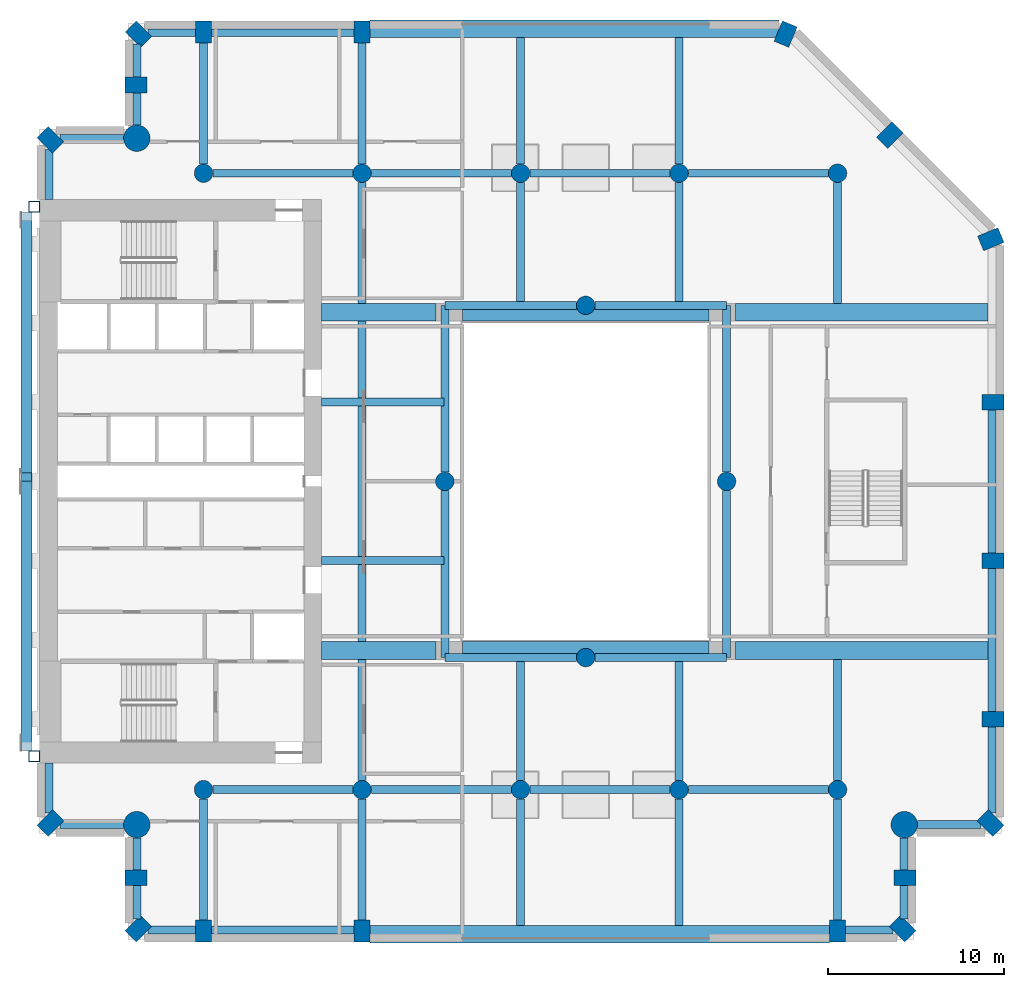
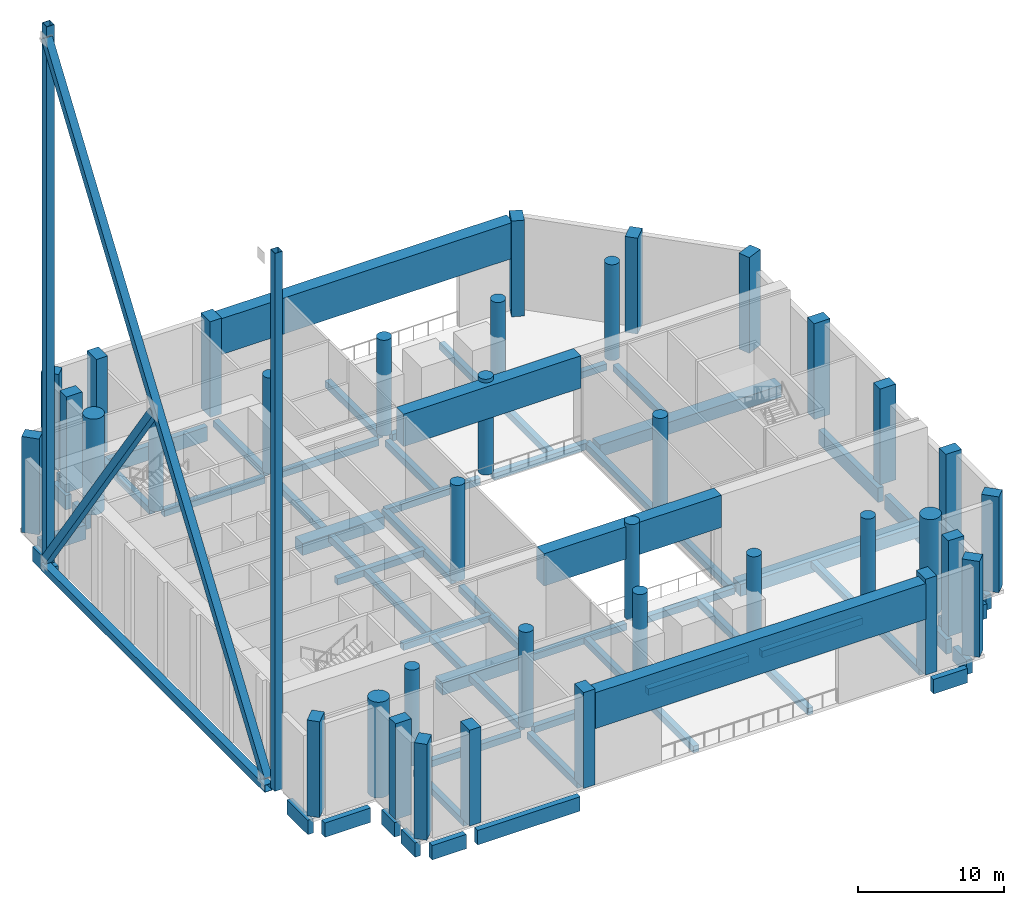
# One storey, part 1 of 14: 65 beams, 37 columns, 5 members.
"""IFC4 building model written with IfcOpenShell, lengths in metres."""

from ifc_helpers import new_model, si_unit, direction, frame, origin, origin_2d, place, context, subcontext, project, spatial, rectangle, hollow_rectangle, circle, extrude, material, material_profile, profile_set, type_object, element, save


model = new_model("IFC4")

# Units and contexts
model_context = context("Model", 3, precision=1e-05, world=origin(), true_north=direction((0.0, 1.0)))
body_context = subcontext(model_context, "Body", "Model", "MODEL_VIEW")
ifc_project = project(units=[si_unit("LENGTHUNIT", "METRE"), si_unit("AREAUNIT", "SQUARE_METRE"), si_unit("VOLUMEUNIT", "CUBIC_METRE"), si_unit("PLANEANGLEUNIT", "RADIAN"), si_unit("MASSUNIT", "GRAM", prefix="KILO")], contexts=[model_context])

# Site, building, storey
site_placement = place(None, origin())
site = spatial("IfcSite", under=ifc_project, at=site_placement, CompositionType="ELEMENT")
building_placement = place(site_placement, origin())
building = spatial("IfcBuilding", under=site, at=building_placement, Name="Cypress Arch Tower", CompositionType="ELEMENT")
storey_placement = place(building_placement, frame((0.0, 0.0, 152.5)))
storey = spatial("IfcBuildingStorey", under=building, at=storey_placement, Name="L33", CompositionType="ELEMENT", Elevation=152.5)

# Columns
ifc_material_1 = material(Name="Concrete C80/95", Category="concrete")
ifc_material_profile_1 = material_profile(ifc_material_1, rectangle(XDim=0.89990234375, YDim=1.25, at=origin_2d()), Name="RC 900x1250")
ifc_profile_set_1 = profile_set([ifc_material_profile_1], Name="Concrete C80/95")
column_type_1 = type_object("IfcColumnType", Name="Column RC 900x1250 Concrete C80/95", PredefinedType="COLUMN", material=ifc_profile_set_1)
for number, where, z_axis, x_axis, name in (
    (1, (-29.389892578125, 19.389892578125, 0.0), (0.0, 0.0, 1.0), (-0.707106781187, -0.707106781187, 0.0), "Column L33 CA00"),
    (2, (-29.389892578125, -19.389892578125, 0.0), (0.0, 0.0, 1.0), (0.707106781187, -0.707106781187, 0.0), "Column L33 CA01"),
    (3, (-24.52490234375, -22.5, 0.0), (0.0, 0.0, 1.0), (0.0, -1.0, 0.0), "Column L33 CA03"),
    (4, (-24.389892578125, -25.389892578125, 0.0), (0.0, 0.0, 1.0), (0.707106781187, -0.707106781187, 0.0), "Column L33 CA04"),
    (5, (-20.699951171875, -25.52490234375, 0.0), (0.0, 0.0, 1.0), (1.0, 0.0, 0.0), "Column L33 CA05"),
    (6, (-11.699951171875, -25.52490234375, 0.0), (0.0, 0.0, 1.0), (1.0, 0.0, 0.0), "Column L33 CA06"),
    (7, (15.300048828125, -25.52490234375, 0.0), (0.0, 0.0, 1.0), (1.0, 0.0, 0.0), "Column L33 CA09"),
    (8, (18.98974609375, -25.389892578125, 0.0), (0.0, 0.0, 1.0), (0.707106781187, 0.707106781187, 0.0), "Column L33 CA10"),
    (9, (19.125, -22.5, 0.0), (0.0, 0.0, 1.0), (0.0, 1.0, 0.0), "Column L33 CA11"),
    (10, (23.98974609375, -19.389892578125, 0.0), (0.0, 0.0, 1.0), (0.707106781187, 0.707106781187, 0.0), "Column L33 CA13"),
    (11, (24.125, -13.5, 0.0), (0.0, 0.0, 1.0), (0.0, 1.0, 0.0), "Column L33 CA14"),
    (12, (24.125, -4.5, 0.0), (0.0, 0.0, 1.0), (0.0, 1.0, 0.0), "Column L33 CA15"),
    (13, (24.125, 4.5, 0.0), (0.0, 0.0, 1.0), (0.0, 1.0, 0.0), "Column L33 CA16"),
    (14, (24.00048828125, 13.751708984375, 0.0), (0.0, 0.0, 1.0), (-0.382683496864, 0.923879505795, 0.0), "Column L33 CA17"),
    (15, (18.26416015625, 19.6640625, 0.0), (0.0, 0.0, 1.0), (-0.707106781187, 0.707106781187, 0.0), "Column L33 CA18"),
    (16, (12.3515625, 25.400390625, 0.0), (0.0, 0.0, 1.0), (-0.923879505795, 0.382683496864, 0.0), "Column L33 CA19"),
    (17, (-11.699951171875, 25.52490234375, 0.0), (0.0, 0.0, 1.0), (-1.0, 0.0, 0.0), "Column L33 CA22"),
    (18, (-20.699951171875, 25.52490234375, 0.0), (0.0, 0.0, 1.0), (-1.0, 0.0, 0.0), "Column L33 CA23"),
    (19, (-24.389892578125, 25.389892578125, 0.0), (0.0, 0.0, 1.0), (-0.707106781187, -0.707106781187, 0.0), "Column L33 CA24"),
    (20, (-24.52490234375, 22.5, 0.0), (0.0, 0.0, 1.0), (0.0, -1.0, 0.0), "Column L33 CA25"),
):
    element("IfcColumn", number, at=place(storey_placement, frame(where, z_axis=z_axis, x_axis=x_axis)), inside=storey, type_object=column_type_1, Name=name, PredefinedType="COLUMN", context=body_context, shape_type="SweptSolid", body=[
        extrude(rectangle(XDim=0.89990234375, YDim=1.25, at=origin_2d()), origin(), (0.0, 0.0, 1.0), 8.0),
    ])
ifc_material_2 = material(Name="Concrete C70/85", Category="concrete")
ifc_material_profile_2 = material_profile(ifc_material_2, circle(Radius=0.52490234375, at=origin_2d()), Name="RC D1050")
ifc_profile_set_2 = profile_set([ifc_material_profile_2], Name="Concrete C70/85")
column_type_2 = type_object("IfcColumnType", Name="Column RC D1050 Concrete C70/85", PredefinedType="COLUMN", material=ifc_profile_set_2)
for number, where, z_axis, x_axis, name in (
    (21, (-20.699951171875, -17.5, 0.0), (0.0, 0.0, 1.0), (1.0, 0.0, 0.0), "Column L33 CIC-L33-CI3S"),
    (22, (-11.699951171875, -17.5, 0.0), (0.0, 0.0, 1.0), (1.0, 0.0, 0.0), "Column L33 CIC-L33-CI4S"),
    (23, (-2.699951171875, -17.5, 0.0), (0.0, 0.0, 1.0), (1.0, 0.0, 0.0), "Column L33 CIC-L33-CI5S"),
    (24, (6.300048828125, -17.5, 0.0), (0.0, 0.0, 1.0), (1.0, 0.0, 0.0), "Column L33 CIC-L33-CI6S"),
    (25, (15.300048828125, -17.5, 0.0), (0.0, 0.0, 1.0), (1.0, 0.0, 0.0), "Column L33 CIC-L33-CI7S"),
    (26, (-20.699951171875, 17.5, 0.0), (0.0, 0.0, 1.0), (1.0, 0.0, 0.0), "Column L33 CIC-L33-CI3N"),
    (27, (-11.699951171875, 17.5, 0.0), (0.0, 0.0, 1.0), (1.0, 0.0, 0.0), "Column L33 CIC-L33-CI4N"),
    (28, (-2.699951171875, 17.5, 0.0), (0.0, 0.0, 1.0), (1.0, 0.0, 0.0), "Column L33 CIC-L33-CI5N"),
    (29, (6.300048828125, 17.5, 0.0), (0.0, 0.0, 1.0), (1.0, 0.0, 0.0), "Column L33 CIC-L33-CI6N"),
    (30, (15.300048828125, 17.5, 0.0), (0.0, 0.0, 1.0), (1.0, 0.0, 0.0), "Column L33 CIC-L33-CI7N"),
    (31, (-7.0, 0.0, 0.0), (0.0, 0.0, 1.0), (1.0, 0.0, 0.0), "Column L33 RNG-L33-G-7+0"),
    (32, (1.0, -10.0, 0.0), (0.0, 0.0, 1.0), (1.0, 0.0, 0.0), "Column L33 RNG-L33-G+1-10"),
    (33, (1.0, 10.0, 0.0), (0.0, 0.0, 1.0), (1.0, 0.0, 0.0), "Column L33 RNG-L33-G+1+10"),
    (34, (9.0, 0.0, 0.0), (0.0, 0.0, 1.0), (1.0, 0.0, 0.0), "Column L33 RNG-L33-G+9+0"),
):
    element("IfcColumn", number, at=place(storey_placement, frame(where, z_axis=z_axis, x_axis=x_axis)), inside=storey, type_object=column_type_2, Name=name, PredefinedType="COLUMN", context=body_context, shape_type="SweptSolid", body=[
        extrude(circle(Radius=0.52490234375, at=origin_2d()), origin(), (0.0, 0.0, 1.0), 8.0),
    ])
ifc_material_3 = material(Name="Concrete C80/95", Category="concrete")
ifc_material_profile_3 = material_profile(ifc_material_3, circle(Radius=0.75, at=origin_2d()), Name="RC D1500")
ifc_profile_set_3 = profile_set([ifc_material_profile_3], Name="Concrete C80/95")
column_type_3 = type_object("IfcColumnType", Name="Mega-column RC D1500 Concrete C80/95", PredefinedType="COLUMN", material=ifc_profile_set_3)
for number, where, z_axis, x_axis, name in (
    (35, (-24.48779296875, -19.48779296875, 0.0), (0.0, 0.0, 1.0), (1.0, 0.0, 0.0), "Column L33 CA02"),
    (36, (19.087890625, -19.48779296875, 0.0), (0.0, 0.0, 1.0), (1.0, 0.0, 0.0), "Column L33 CA12"),
    (37, (-24.48779296875, 19.48779296875, 0.0), (0.0, 0.0, 1.0), (1.0, 0.0, 0.0), "Column L33 CA26"),
):
    element("IfcColumn", number, at=place(storey_placement, frame(where, z_axis=z_axis, x_axis=x_axis)), inside=storey, type_object=column_type_3, Name=name, PredefinedType="COLUMN", context=body_context, shape_type="SweptSolid", body=[
        extrude(circle(Radius=0.75, at=origin_2d()), origin(), (0.0, 0.0, 1.0), 8.0),
    ])

# Beams
ifc_material_4 = material(Name="Concrete C50/60", Category="concrete")
ifc_material_profile_4 = material_profile(ifc_material_4, rectangle(XDim=0.449951171875, YDim=0.550048828125, at=origin_2d()), Name="RC 450x550")
ifc_profile_set_4 = profile_set([ifc_material_profile_4], Name="Concrete C50/60")
beam_type_1 = type_object("IfcBeamType", Name="Floor beam RC 450x550 Concrete C50/60", PredefinedType="BEAM", material=ifc_profile_set_4)
for number, where, z_axis, x_axis, name in (
    (38, (-7.0, -10.0, -0.574951171875), (0.0, 1.0, 0.0), (-1.0, 0.0, 0.0), "Floor beam L33 RB001"),
    (39, (-7.0, 0.52490234375, -0.574951171875), (0.0, 1.0, 0.0), (-1.0, 0.0, 0.0), "Floor beam L33 RB002"),
    (40, (9.0, -10.0, -0.574951171875), (0.0, 1.0, 0.0), (-1.0, 0.0, 0.0), "Floor beam L33 RB003"),
    (41, (9.0, 0.52490234375, -0.574951171875), (0.0, 1.0, 0.0), (-1.0, 0.0, 0.0), "Floor beam L33 RB004"),
):
    element("IfcBeam", number, at=place(storey_placement, frame(where, z_axis=z_axis, x_axis=x_axis)), inside=storey, type_object=beam_type_1, Name=name, PredefinedType="BEAM", context=body_context, shape_type="SweptSolid", body=[
        extrude(rectangle(XDim=0.449951171875, YDim=0.550048828125, at=origin_2d()), origin(), (0.0, 0.0, 1.0), 9.47509765625),
    ])
for number, where, z_axis, x_axis, name in (
    (42, (-7.0, -10.0, -0.574951171875), (1.0, 0.0, 0.0), (0.0, 1.0, 0.0), "Floor beam L33 RB005"),
    (43, (1.52490234375, -10.0, -0.574951171875), (1.0, 0.0, 0.0), (0.0, 1.0, 0.0), "Floor beam L33 RB006"),
    (44, (-7.0, 10.0, -0.574951171875), (1.0, 0.0, 0.0), (0.0, 1.0, 0.0), "Floor beam L33 RB007"),
    (45, (1.52490234375, 10.0, -0.574951171875), (1.0, 0.0, 0.0), (0.0, 1.0, 0.0), "Floor beam L33 RB008"),
):
    element("IfcBeam", number, at=place(storey_placement, frame(where, z_axis=z_axis, x_axis=x_axis)), inside=storey, type_object=beam_type_1, Name=name, PredefinedType="BEAM", context=body_context, shape_type="SweptSolid", body=[
        extrude(rectangle(XDim=0.449951171875, YDim=0.550048828125, at=origin_2d()), origin(), (0.0, 0.0, 1.0), 7.47509765625),
    ])
for number, where, z_axis, x_axis, name in (
    (46, (-20.175048828125, -17.5, -0.574951171875), (1.0, 0.0, 0.0), (0.0, 1.0, 0.0), "Floor beam L33 FB009"),
    (47, (-11.175048828125, -17.5, -0.574951171875), (1.0, 0.0, 0.0), (0.0, 1.0, 0.0), "Floor beam L33 FB010"),
    (48, (-2.175048828125, -17.5, -0.574951171875), (1.0, 0.0, 0.0), (0.0, 1.0, 0.0), "Floor beam L33 FB011"),
    (49, (6.824951171875, -17.5, -0.574951171875), (1.0, 0.0, 0.0), (0.0, 1.0, 0.0), "Floor beam L33 FB012"),
):
    element("IfcBeam", number, at=place(storey_placement, frame(where, z_axis=z_axis, x_axis=x_axis)), inside=storey, type_object=beam_type_1, Name=name, PredefinedType="BEAM", context=body_context, shape_type="SweptSolid", body=[
        extrude(rectangle(XDim=0.449951171875, YDim=0.550048828125, at=origin_2d()), origin(), (0.0, 0.0, 1.0), 7.949951171875),
    ])
for number, where, z_axis, x_axis, name in (
    (50, (-14.0, -4.5, -0.574951171875), (1.0, 0.0, 0.0), (0.0, 1.0, 0.0), "Floor beam L33 FB013"),
    (51, (-14.0, 4.5, -0.574951171875), (1.0, 0.0, 0.0), (0.0, 1.0, 0.0), "Floor beam L33 FB014"),
):
    element("IfcBeam", number, at=place(storey_placement, frame(where, z_axis=z_axis, x_axis=x_axis)), inside=storey, type_object=beam_type_1, Name=name, PredefinedType="BEAM", context=body_context, shape_type="SweptSolid", body=[
        extrude(rectangle(XDim=0.449951171875, YDim=0.550048828125, at=origin_2d()), origin(), (0.0, 0.0, 1.0), 6.949951171875),
    ])
for number, where, z_axis, x_axis, name in (
    (52, (-20.175048828125, 17.5, -0.574951171875), (1.0, 0.0, 0.0), (0.0, 1.0, 0.0), "Floor beam L33 FB015"),
    (53, (-11.175048828125, 17.5, -0.574951171875), (1.0, 0.0, 0.0), (0.0, 1.0, 0.0), "Floor beam L33 FB016"),
    (54, (-2.175048828125, 17.5, -0.574951171875), (1.0, 0.0, 0.0), (0.0, 1.0, 0.0), "Floor beam L33 FB017"),
    (55, (6.824951171875, 17.5, -0.574951171875), (1.0, 0.0, 0.0), (0.0, 1.0, 0.0), "Floor beam L33 FB018"),
):
    element("IfcBeam", number, at=place(storey_placement, frame(where, z_axis=z_axis, x_axis=x_axis)), inside=storey, type_object=beam_type_1, Name=name, PredefinedType="BEAM", context=body_context, shape_type="SweptSolid", body=[
        extrude(rectangle(XDim=0.449951171875, YDim=0.550048828125, at=origin_2d()), origin(), (0.0, 0.0, 1.0), 7.949951171875),
    ])
for number, where, z_axis, x_axis, name in (
    (56, (-20.699951171875, -24.89990234375, -0.574951171875), (0.0, 1.0, 0.0), (-1.0, 0.0, 0.0), "Floor beam L33 FB019"),
    (57, (-20.699951171875, 18.02490234375, -0.574951171875), (0.0, 1.0, 0.0), (-1.0, 0.0, 0.0), "Floor beam L33 FB020"),
    (58, (-11.699951171875, -24.89990234375, -0.574951171875), (0.0, 1.0, 0.0), (-1.0, 0.0, 0.0), "Floor beam L33 FB021"),
    (59, (-11.699951171875, -16.97509765625, -0.574951171875), (0.0, 1.0, 0.0), (-1.0, 0.0, 0.0), "Floor beam L33 FB022"),
):
    element("IfcBeam", number, at=place(storey_placement, frame(where, z_axis=z_axis, x_axis=x_axis)), inside=storey, type_object=beam_type_1, Name=name, PredefinedType="BEAM", context=body_context, shape_type="SweptSolid", body=[
        extrude(rectangle(XDim=0.449951171875, YDim=0.550048828125, at=origin_2d()), origin(), (0.0, 0.0, 1.0), 6.875),
    ])
beam_1_placement = place(storey_placement, frame((-11.699951171875, -9.10009765625, -0.574951171875), z_axis=(0.0, 1.0, 0.0), x_axis=(-1.0, 0.0, 0.0)))
element("IfcBeam", 60, at=beam_1_placement, inside=storey, type_object=beam_type_1, Name="Floor beam L33 FB023", PredefinedType="BEAM", context=body_context, shape_type="SweptSolid", body=[
    extrude(rectangle(XDim=0.449951171875, YDim=0.550048828125, at=origin_2d()), origin(), (0.0, 0.0, 1.0), 4.375),
])
beam_2_placement = place(storey_placement, frame((-11.699951171875, -4.27490234375, -0.574951171875), z_axis=(0.0, 1.0, 0.0), x_axis=(-1.0, 0.0, 0.0)))
element("IfcBeam", 61, at=beam_2_placement, inside=storey, type_object=beam_type_1, Name="Floor beam L33 FB024", PredefinedType="BEAM", context=body_context, shape_type="SweptSolid", body=[
    extrude(rectangle(XDim=0.449951171875, YDim=0.550048828125, at=origin_2d()), origin(), (0.0, 0.0, 1.0), 8.5498046875),
])
beam_3_placement = place(storey_placement, frame((-11.699951171875, 4.72509765625, -0.574951171875), z_axis=(0.0, 1.0, 0.0), x_axis=(-1.0, 0.0, 0.0)))
element("IfcBeam", 62, at=beam_3_placement, inside=storey, type_object=beam_type_1, Name="Floor beam L33 FB025", PredefinedType="BEAM", context=body_context, shape_type="SweptSolid", body=[
    extrude(rectangle(XDim=0.449951171875, YDim=0.550048828125, at=origin_2d()), origin(), (0.0, 0.0, 1.0), 4.375),
])
for number, where, z_axis, x_axis, name in (
    (63, (-11.699951171875, 10.10009765625, -0.574951171875), (0.0, 1.0, 0.0), (-1.0, 0.0, 0.0), "Floor beam L33 FB026"),
    (64, (-11.699951171875, 18.02490234375, -0.574951171875), (0.0, 1.0, 0.0), (-1.0, 0.0, 0.0), "Floor beam L33 FB027"),
):
    element("IfcBeam", number, at=place(storey_placement, frame(where, z_axis=z_axis, x_axis=x_axis)), inside=storey, type_object=beam_type_1, Name=name, PredefinedType="BEAM", context=body_context, shape_type="SweptSolid", body=[
        extrude(rectangle(XDim=0.449951171875, YDim=0.550048828125, at=origin_2d()), origin(), (0.0, 0.0, 1.0), 6.875),
    ])
beam_4_placement = place(storey_placement, frame((-2.699951171875, -25.199951171875, -0.574951171875), z_axis=(0.0, 1.0, 0.0), x_axis=(-1.0, 0.0, 0.0)))
element("IfcBeam", 65, at=beam_4_placement, inside=storey, type_object=beam_type_1, Name="Floor beam L33 FB028", PredefinedType="BEAM", context=body_context, shape_type="SweptSolid", body=[
    extrude(rectangle(XDim=0.449951171875, YDim=0.550048828125, at=origin_2d()), origin(), (0.0, 0.0, 1.0), 7.175048828125),
])
for number, where, z_axis, x_axis, name in (
    (66, (-2.699951171875, -16.97509765625, -0.574951171875), (0.0, 1.0, 0.0), (-1.0, 0.0, 0.0), "Floor beam L33 FB029"),
    (67, (-2.699951171875, 10.22509765625, -0.574951171875), (0.0, 1.0, 0.0), (-1.0, 0.0, 0.0), "Floor beam L33 FB030"),
):
    element("IfcBeam", number, at=place(storey_placement, frame(where, z_axis=z_axis, x_axis=x_axis)), inside=storey, type_object=beam_type_1, Name=name, PredefinedType="BEAM", context=body_context, shape_type="SweptSolid", body=[
        extrude(rectangle(XDim=0.449951171875, YDim=0.550048828125, at=origin_2d()), origin(), (0.0, 0.0, 1.0), 6.75),
    ])
for number, where, z_axis, x_axis, name in (
    (68, (-2.699951171875, 18.02490234375, -0.574951171875), (0.0, 1.0, 0.0), (-1.0, 0.0, 0.0), "Floor beam L33 FB031"),
    (69, (6.300048828125, -25.199951171875, -0.574951171875), (0.0, 1.0, 0.0), (-1.0, 0.0, 0.0), "Floor beam L33 FB032"),
):
    element("IfcBeam", number, at=place(storey_placement, frame(where, z_axis=z_axis, x_axis=x_axis)), inside=storey, type_object=beam_type_1, Name=name, PredefinedType="BEAM", context=body_context, shape_type="SweptSolid", body=[
        extrude(rectangle(XDim=0.449951171875, YDim=0.550048828125, at=origin_2d()), origin(), (0.0, 0.0, 1.0), 7.175048828125),
    ])
for number, where, z_axis, x_axis, name in (
    (70, (6.300048828125, -16.97509765625, -0.574951171875), (0.0, 1.0, 0.0), (-1.0, 0.0, 0.0), "Floor beam L33 FB033"),
    (71, (6.300048828125, 10.22509765625, -0.574951171875), (0.0, 1.0, 0.0), (-1.0, 0.0, 0.0), "Floor beam L33 FB034"),
):
    element("IfcBeam", number, at=place(storey_placement, frame(where, z_axis=z_axis, x_axis=x_axis)), inside=storey, type_object=beam_type_1, Name=name, PredefinedType="BEAM", context=body_context, shape_type="SweptSolid", body=[
        extrude(rectangle(XDim=0.449951171875, YDim=0.550048828125, at=origin_2d()), origin(), (0.0, 0.0, 1.0), 6.75),
    ])
beam_5_placement = place(storey_placement, frame((6.300048828125, 18.02490234375, -0.574951171875), z_axis=(0.0, 1.0, 0.0), x_axis=(-1.0, 0.0, 0.0)))
element("IfcBeam", 72, at=beam_5_placement, inside=storey, type_object=beam_type_1, Name="Floor beam L33 FB035", PredefinedType="BEAM", context=body_context, shape_type="SweptSolid", body=[
    extrude(rectangle(XDim=0.449951171875, YDim=0.550048828125, at=origin_2d()), origin(), (0.0, 0.0, 1.0), 7.175048828125),
])
for number, where, z_axis, x_axis, name in (
    (73, (15.300048828125, -24.89990234375, -0.574951171875), (0.0, 1.0, 0.0), (-1.0, 0.0, 0.0), "Floor beam L33 FB036"),
    (74, (15.300048828125, -16.97509765625, -0.574951171875), (0.0, 1.0, 0.0), (-1.0, 0.0, 0.0), "Floor beam L33 FB037"),
    (75, (15.300048828125, 10.10009765625, -0.574951171875), (0.0, 1.0, 0.0), (-1.0, 0.0, 0.0), "Floor beam L33 FB038"),
):
    element("IfcBeam", number, at=place(storey_placement, frame(where, z_axis=z_axis, x_axis=x_axis)), inside=storey, type_object=beam_type_1, Name=name, PredefinedType="BEAM", context=body_context, shape_type="SweptSolid", body=[
        extrude(rectangle(XDim=0.449951171875, YDim=0.550048828125, at=origin_2d()), origin(), (0.0, 0.0, 1.0), 6.875),
    ])
ifc_material_5 = material(Name="Concrete C80/95", Category="concrete")
ifc_material_profile_5 = material_profile(ifc_material_5, rectangle(XDim=1.0, YDim=2.699951171875, at=origin_2d()), Name="RC 1000x2700")
ifc_profile_set_5 = profile_set([ifc_material_profile_5], Name="Concrete C80/95")
beam_type_2 = type_object("IfcBeamType", Name="Outrigger opening beam RC 1000x2700 Concrete C80/95", PredefinedType="LINTEL", material=ifc_profile_set_5)
for number, where, z_axis, x_axis, name in (
    (76, (-6.0, -9.60009765625, 6.35009765625), (1.0, 0.0, 0.0), (0.0, 1.0, 0.0), "Opening beam L33 S"),
    (77, (-6.0, 9.60009765625, 6.35009765625), (1.0, 0.0, 0.0), (0.0, 1.0, 0.0), "Opening beam L33 N"),
):
    element("IfcBeam", number, at=place(storey_placement, frame(where, z_axis=z_axis, x_axis=x_axis)), inside=storey, type_object=beam_type_2, Name=name, PredefinedType="LINTEL", context=body_context, shape_type="SweptSolid", body=[
        extrude(rectangle(XDim=1.0, YDim=2.699951171875, at=origin_2d()), origin(), (0.0, 0.0, 1.0), 14.0),
    ])
ifc_material_6 = material(Name="Concrete C80/95", Category="concrete")
ifc_material_profile_6 = material_profile(ifc_material_6, rectangle(XDim=1.0, YDim=3.0, at=origin_2d()), Name="RC 1000x3000")
ifc_profile_set_6 = profile_set([ifc_material_profile_6], Name="Concrete C80/95")
beam_type_3 = type_object("IfcBeamType", Name="Portal beam RC 1000x3000 Concrete C80/95", PredefinedType="BEAM", material=ifc_profile_set_6)
beam_6_placement = place(storey_placement, frame((-11.25, -25.699951171875, 6.199951171875), z_axis=(1.0, 0.0, 0.0), x_axis=(0.0, 1.0, 0.0)))
element("IfcBeam", 78, at=beam_6_placement, inside=storey, type_object=beam_type_3, Name="Portal beam L33 S", PredefinedType="BEAM", context=body_context, shape_type="SweptSolid", body=[
    extrude(rectangle(XDim=1.0, YDim=3.0, at=origin_2d()), origin(), (0.0, 0.0, 1.0), 26.10009765625),
])
beam_7_placement = place(storey_placement, frame((-11.25, 25.699951171875, 6.199951171875), z_axis=(1.0, 0.0, 0.0), x_axis=(0.0, 1.0, 0.0)))
element("IfcBeam", 79, at=beam_7_placement, inside=storey, type_object=beam_type_3, Name="Portal beam L33 N", PredefinedType="BEAM", context=body_context, shape_type="SweptSolid", body=[
    extrude(rectangle(XDim=1.0, YDim=3.0, at=origin_2d()), origin(), (0.0, 0.0, 1.0), 23.23876953125),
])
ifc_material_7 = material(Name="Concrete C50/60", Category="concrete")
ifc_material_profile_7 = material_profile(ifc_material_7, rectangle(XDim=0.449951171875, YDim=1.199951171875, at=origin_2d()), Name="RC 450x1200")
ifc_profile_set_7 = profile_set([ifc_material_profile_7], Name="Concrete C50/60")
beam_type_4 = type_object("IfcBeamType", Name="Spandrel beam RC 450x1200 Concrete C50/60", PredefinedType="SPANDREL", material=ifc_profile_set_7)
for number, where, z_axis, x_axis, name in (
    (80, (-29.47509765625, 18.838623046875, -1.550048828125), (0.0, -1.0, 0.0), (1.0, 0.0, 0.0), "Spandrel beam L33 BA00-0"),
    (81, (-29.47509765625, -16.0, -1.550048828125), (0.0, -1.0, 0.0), (1.0, 0.0, 0.0), "Spandrel beam L33 BA00-0"),
):
    element("IfcBeam", number, at=place(storey_placement, frame(where, z_axis=z_axis, x_axis=x_axis)), inside=storey, type_object=beam_type_4, Name=name, PredefinedType="SPANDREL", context=body_context, shape_type="SweptSolid", body=[
        extrude(rectangle(XDim=0.449951171875, YDim=1.199951171875, at=origin_2d()), origin(), (0.0, 0.0, 1.0), 2.838623046875),
    ])
beam_8_placement = place(storey_placement, frame((-28.838623046875, -19.47509765625, -1.550048828125), z_axis=(1.0, 0.0, 0.0), x_axis=(0.0, 1.0, 0.0)))
element("IfcBeam", 82, at=beam_8_placement, inside=storey, type_object=beam_type_4, Name="Spandrel beam L33 BA01-0", PredefinedType="SPANDREL", context=body_context, shape_type="SweptSolid", body=[
    extrude(rectangle(XDim=0.449951171875, YDim=1.199951171875, at=origin_2d()), origin(), (0.0, 0.0, 1.0), 3.60107421875),
])
beam_9_placement = place(storey_placement, frame((-24.47509765625, -20.237548828125, -1.550048828125), z_axis=(0.0, -1.0, 0.0), x_axis=(1.0, 0.0, 0.0)))
element("IfcBeam", 83, at=beam_9_placement, inside=storey, type_object=beam_type_4, Name="Spandrel beam L33 BA02-0", PredefinedType="SPANDREL", context=body_context, shape_type="SweptSolid", body=[
    extrude(rectangle(XDim=0.449951171875, YDim=1.199951171875, at=origin_2d()), origin(), (0.0, 0.0, 1.0), 1.8125),
])
beam_10_placement = place(storey_placement, frame((-24.47509765625, -22.949951171875, -1.550048828125), z_axis=(0.0, -1.0, 0.0), x_axis=(1.0, 0.0, 0.0)))
element("IfcBeam", 84, at=beam_10_placement, inside=storey, type_object=beam_type_4, Name="Spandrel beam L33 BA02-1", PredefinedType="SPANDREL", context=body_context, shape_type="SweptSolid", body=[
    extrude(rectangle(XDim=0.449951171875, YDim=1.199951171875, at=origin_2d()), origin(), (0.0, 0.0, 1.0), 1.888671875),
])
beam_11_placement = place(storey_placement, frame((-23.838623046875, -25.47509765625, -1.550048828125), z_axis=(1.0, 0.0, 0.0), x_axis=(0.0, 1.0, 0.0)))
element("IfcBeam", 85, at=beam_11_placement, inside=storey, type_object=beam_type_4, Name="Spandrel beam L33 BA03-0", PredefinedType="SPANDREL", context=body_context, shape_type="SweptSolid", body=[
    extrude(rectangle(XDim=0.449951171875, YDim=1.199951171875, at=origin_2d()), origin(), (0.0, 0.0, 1.0), 2.688720703125),
])
beam_12_placement = place(storey_placement, frame((-20.25, -25.47509765625, -1.550048828125), z_axis=(1.0, 0.0, 0.0), x_axis=(0.0, 1.0, 0.0)))
element("IfcBeam", 86, at=beam_12_placement, inside=storey, type_object=beam_type_4, Name="Spandrel beam L33 BA03-1", PredefinedType="SPANDREL", context=body_context, shape_type="SweptSolid", body=[
    extrude(rectangle(XDim=0.449951171875, YDim=1.199951171875, at=origin_2d()), origin(), (0.0, 0.0, 1.0), 8.10009765625),
])
beam_13_placement = place(storey_placement, frame((15.75, -25.47509765625, -1.550048828125), z_axis=(1.0, 0.0, 0.0), x_axis=(0.0, 1.0, 0.0)))
element("IfcBeam", 87, at=beam_13_placement, inside=storey, type_object=beam_type_4, Name="Spandrel beam L33 BA03-5", PredefinedType="SPANDREL", context=body_context, shape_type="SweptSolid", body=[
    extrude(rectangle(XDim=0.449951171875, YDim=1.199951171875, at=origin_2d()), origin(), (0.0, 0.0, 1.0), 2.688720703125),
])
beam_14_placement = place(storey_placement, frame((19.074951171875, -24.838623046875, -1.550048828125), z_axis=(0.0, 1.0, 0.0), x_axis=(-1.0, 0.0, 0.0)))
element("IfcBeam", 88, at=beam_14_placement, inside=storey, type_object=beam_type_4, Name="Spandrel beam L33 BA04-0", PredefinedType="SPANDREL", context=body_context, shape_type="SweptSolid", body=[
    extrude(rectangle(XDim=0.449951171875, YDim=1.199951171875, at=origin_2d()), origin(), (0.0, 0.0, 1.0), 1.888671875),
])
beam_15_placement = place(storey_placement, frame((19.074951171875, -22.050048828125, -1.550048828125), z_axis=(0.0, 1.0, 0.0), x_axis=(-1.0, 0.0, 0.0)))
element("IfcBeam", 89, at=beam_15_placement, inside=storey, type_object=beam_type_4, Name="Spandrel beam L33 BA04-1", PredefinedType="SPANDREL", context=body_context, shape_type="SweptSolid", body=[
    extrude(rectangle(XDim=0.449951171875, YDim=1.199951171875, at=origin_2d()), origin(), (0.0, 0.0, 1.0), 1.8125),
])
beam_16_placement = place(storey_placement, frame((19.837646484375, -19.47509765625, -1.550048828125), z_axis=(1.0, 0.0, 0.0), x_axis=(0.0, 1.0, 0.0)))
element("IfcBeam", 90, at=beam_16_placement, inside=storey, type_object=beam_type_4, Name="Spandrel beam L33 BA05-0", PredefinedType="SPANDREL", context=body_context, shape_type="SweptSolid", body=[
    extrude(rectangle(XDim=0.449951171875, YDim=1.199951171875, at=origin_2d()), origin(), (0.0, 0.0, 1.0), 3.60107421875),
])
beam_17_placement = place(storey_placement, frame((24.074951171875, -18.838623046875, -1.550048828125), z_axis=(0.0, 1.0, 0.0), x_axis=(-1.0, 0.0, 0.0)))
element("IfcBeam", 91, at=beam_17_placement, inside=storey, type_object=beam_type_4, Name="Spandrel beam L33 BA06-0", PredefinedType="SPANDREL", context=body_context, shape_type="SweptSolid", body=[
    extrude(rectangle(XDim=0.449951171875, YDim=1.199951171875, at=origin_2d()), origin(), (0.0, 0.0, 1.0), 4.888671875),
])
for number, where, z_axis, x_axis, name in (
    (92, (24.074951171875, -13.050048828125, -1.550048828125), (0.0, 1.0, 0.0), (-1.0, 0.0, 0.0), "Spandrel beam L33 BA06-1"),
    (93, (24.074951171875, -4.050048828125, -1.550048828125), (0.0, 1.0, 0.0), (-1.0, 0.0, 0.0), "Spandrel beam L33 BA06-2"),
    (94, (-12.14990234375, 25.47509765625, -1.550048828125), (-1.0, 0.0, 0.0), (0.0, -1.0, 0.0), "Spandrel beam L33 BA08-3"),
):
    element("IfcBeam", number, at=place(storey_placement, frame(where, z_axis=z_axis, x_axis=x_axis)), inside=storey, type_object=beam_type_4, Name=name, PredefinedType="SPANDREL", context=body_context, shape_type="SweptSolid", body=[
        extrude(rectangle(XDim=0.449951171875, YDim=1.199951171875, at=origin_2d()), origin(), (0.0, 0.0, 1.0), 8.10009765625),
    ])
beam_18_placement = place(storey_placement, frame((-21.14990234375, 25.47509765625, -1.550048828125), z_axis=(-1.0, 0.0, 0.0), x_axis=(0.0, -1.0, 0.0)))
element("IfcBeam", 95, at=beam_18_placement, inside=storey, type_object=beam_type_4, Name="Spandrel beam L33 BA08-4", PredefinedType="SPANDREL", context=body_context, shape_type="SweptSolid", body=[
    extrude(rectangle(XDim=0.449951171875, YDim=1.199951171875, at=origin_2d()), origin(), (0.0, 0.0, 1.0), 2.688720703125),
])
beam_19_placement = place(storey_placement, frame((-24.47509765625, 24.838623046875, -1.550048828125), z_axis=(0.0, -1.0, 0.0), x_axis=(1.0, 0.0, 0.0)))
element("IfcBeam", 96, at=beam_19_placement, inside=storey, type_object=beam_type_4, Name="Spandrel beam L33 BA09-0", PredefinedType="SPANDREL", context=body_context, shape_type="SweptSolid", body=[
    extrude(rectangle(XDim=0.449951171875, YDim=1.199951171875, at=origin_2d()), origin(), (0.0, 0.0, 1.0), 1.888671875),
])
beam_20_placement = place(storey_placement, frame((-24.47509765625, 22.050048828125, -1.550048828125), z_axis=(0.0, -1.0, 0.0), x_axis=(1.0, 0.0, 0.0)))
element("IfcBeam", 97, at=beam_20_placement, inside=storey, type_object=beam_type_4, Name="Spandrel beam L33 BA09-1", PredefinedType="SPANDREL", context=body_context, shape_type="SweptSolid", body=[
    extrude(rectangle(XDim=0.449951171875, YDim=1.199951171875, at=origin_2d()), origin(), (0.0, 0.0, 1.0), 1.8125),
])
beam_21_placement = place(storey_placement, frame((-25.237548828125, 19.47509765625, -1.550048828125), z_axis=(-1.0, 0.0, 0.0), x_axis=(0.0, -1.0, 0.0)))
element("IfcBeam", 98, at=beam_21_placement, inside=storey, type_object=beam_type_4, Name="Spandrel beam L33 BA10-0", PredefinedType="SPANDREL", context=body_context, shape_type="SweptSolid", body=[
    extrude(rectangle(XDim=0.449951171875, YDim=1.199951171875, at=origin_2d()), origin(), (0.0, 0.0, 1.0), 3.60107421875),
])
ifc_material_8 = material(Name="Concrete C80/95", Category="concrete")
ifc_material_profile_8 = material_profile(ifc_material_8, rectangle(XDim=1.0, YDim=1.0, at=origin_2d()), Name="RC 1000x1000")
ifc_profile_set_8 = profile_set([ifc_material_profile_8], Name="Concrete C80/95")
beam_type_5 = type_object("IfcBeamType", Name="Wall beam RC 1000x1000 Concrete C80/95", PredefinedType="BEAM", material=ifc_profile_set_8)
beam_22_placement = place(storey_placement, frame((-14.0, -9.60009765625, -0.800048828125), z_axis=(1.0, 0.0, 0.0), x_axis=(0.0, 1.0, 0.0)))
element("IfcBeam", 99, at=beam_22_placement, inside=storey, type_object=beam_type_5, Name="Wall beam L33 SW", PredefinedType="BEAM", context=body_context, shape_type="SweptSolid", body=[
    extrude(rectangle(XDim=1.0, YDim=1.0, at=origin_2d()), origin(), (0.0, 0.0, 1.0), 6.5),
])
beam_23_placement = place(storey_placement, frame((9.5, -9.60009765625, -0.800048828125), z_axis=(1.0, 0.0, 0.0), x_axis=(0.0, 1.0, 0.0)))
element("IfcBeam", 100, at=beam_23_placement, inside=storey, type_object=beam_type_5, Name="Wall beam L33 SE", PredefinedType="BEAM", context=body_context, shape_type="SweptSolid", body=[
    extrude(rectangle(XDim=1.0, YDim=1.0, at=origin_2d()), origin(), (0.0, 0.0, 1.0), 14.35009765625),
])
beam_24_placement = place(storey_placement, frame((-14.0, 9.60009765625, -0.800048828125), z_axis=(1.0, 0.0, 0.0), x_axis=(0.0, 1.0, 0.0)))
element("IfcBeam", 101, at=beam_24_placement, inside=storey, type_object=beam_type_5, Name="Wall beam L33 NW", PredefinedType="BEAM", context=body_context, shape_type="SweptSolid", body=[
    extrude(rectangle(XDim=1.0, YDim=1.0, at=origin_2d()), origin(), (0.0, 0.0, 1.0), 6.5),
])
beam_25_placement = place(storey_placement, frame((9.5, 9.60009765625, -0.800048828125), z_axis=(1.0, 0.0, 0.0), x_axis=(0.0, 1.0, 0.0)))
element("IfcBeam", 102, at=beam_25_placement, inside=storey, type_object=beam_type_5, Name="Wall beam L33 NE", PredefinedType="BEAM", context=body_context, shape_type="SweptSolid", body=[
    extrude(rectangle(XDim=1.0, YDim=1.0, at=origin_2d()), origin(), (0.0, 0.0, 1.0), 14.35009765625),
])

# Members
ifc_material_9 = material(Name="Steel ASTM A501 Grade B", Category="steel")
ifc_material_profile_9 = material_profile(ifc_material_9, hollow_rectangle(XDim=0.609619140625, YDim=0.609619140625, WallThickness=0.023681640625, at=origin_2d()), Name="HSS 24x24x1")
ifc_profile_set_9 = profile_set([ifc_material_profile_9], Name="Steel ASTM A501 Grade B")
member_type_1 = type_object("IfcMemberType", Name="West bracing chord HSS 24x24x1 Steel ASTM A501 Grade B", PredefinedType="CHORD", material=ifc_profile_set_9)
member_1_placement = place(storey_placement, frame((-30.7548828125, -15.295166015625, 0.0), z_axis=(0.0, 1.0, 0.0), x_axis=(-1.0, 0.0, 0.0)))
element("IfcMember", 103, at=member_1_placement, inside=storey, type_object=member_type_1, Name="West bracing chord 3", PredefinedType="CHORD", context=body_context, shape_type="SweptSolid", body=[
    extrude(hollow_rectangle(XDim=0.609619140625, YDim=0.609619140625, WallThickness=0.023681640625, at=origin_2d()), origin(), (0.0, 0.0, 1.0), 30.59033203125),
])
ifc_material_10 = material(Name="Steel ASTM A501 Grade B", Category="steel")
ifc_material_profile_10 = material_profile(ifc_material_10, hollow_rectangle(XDim=0.609619140625, YDim=0.609619140625, WallThickness=0.023681640625, at=origin_2d()), Name="HSS 24x24x1")
ifc_profile_set_10 = profile_set([ifc_material_profile_10], Name="Steel ASTM A501 Grade B")
member_type_2 = type_object("IfcMemberType", Name="West bracing diagonal HSS 24x24x1 Steel ASTM A501 Grade B", PredefinedType="BRACE", material=ifc_profile_set_10)
member_2_placement = place(storey_placement, frame((-30.7548828125, -15.044921875, 0.667236328125), z_axis=(0.0, 0.568303044471, 0.822819329893), x_axis=(-1.0, 0.0, 0.0)))
element("IfcMember", 104, at=member_2_placement, inside=storey, type_object=member_type_2, Name="West bracing diagonal 3A", PredefinedType="BRACE", context=body_context, shape_type="SweptSolid", body=[
    extrude(hollow_rectangle(XDim=0.609619140625, YDim=0.609619140625, WallThickness=0.023681640625, at=origin_2d()), origin(), (0.0, 0.0, 1.0), 52.94677734375),
])
member_3_placement = place(storey_placement, frame((-30.7548828125, 15.044921875, 0.667236328125), z_axis=(0.0, -0.568303056355, 0.822819321684), x_axis=(1.0, 0.0, 0.0)))
element("IfcMember", 105, at=member_3_placement, inside=storey, type_object=member_type_2, Name="West bracing diagonal 3C", PredefinedType="BRACE", context=body_context, shape_type="SweptSolid", body=[
    extrude(hollow_rectangle(XDim=0.609619140625, YDim=0.609619140625, WallThickness=0.023681640625, at=origin_2d()), origin(), (0.0, 0.0, 1.0), 26.03271484375),
])
ifc_material_11 = material(Name="Steel ASTM A501 Grade B", Category="steel")
ifc_material_profile_11 = material_profile(ifc_material_11, hollow_rectangle(XDim=0.609619140625, YDim=0.609619140625, WallThickness=0.023681640625, at=origin_2d()), Name="HSS 24x24x1")
ifc_profile_set_11 = profile_set([ifc_material_profile_11], Name="Steel ASTM A501 Grade B")
member_type_3 = type_object("IfcMemberType", Name="West bracing post HSS 24x24x1 Steel ASTM A501 Grade B", PredefinedType="POST", material=ifc_profile_set_11)
for number, where, z_axis, x_axis, name in (
    (106, (-30.3046875, -15.60009765625, 0.0), (0.0, 0.0, 1.0), (1.0, 0.0, 0.0), "West bracing post 3S"),
    (107, (-30.3046875, 15.60009765625, 0.0), (0.0, 0.0, 1.0), (1.0, 0.0, 0.0), "West bracing post 3N"),
):
    element("IfcMember", number, at=place(storey_placement, frame(where, z_axis=z_axis, x_axis=x_axis)), inside=storey, type_object=member_type_3, Name=name, PredefinedType="POST", context=body_context, shape_type="SweptSolid", body=[
        extrude(hollow_rectangle(XDim=0.609619140625, YDim=0.609619140625, WallThickness=0.023681640625, at=origin_2d()), origin(), (0.0, 0.0, 1.0), 44.89990234375),
    ])

save(model, "model.ifc")
